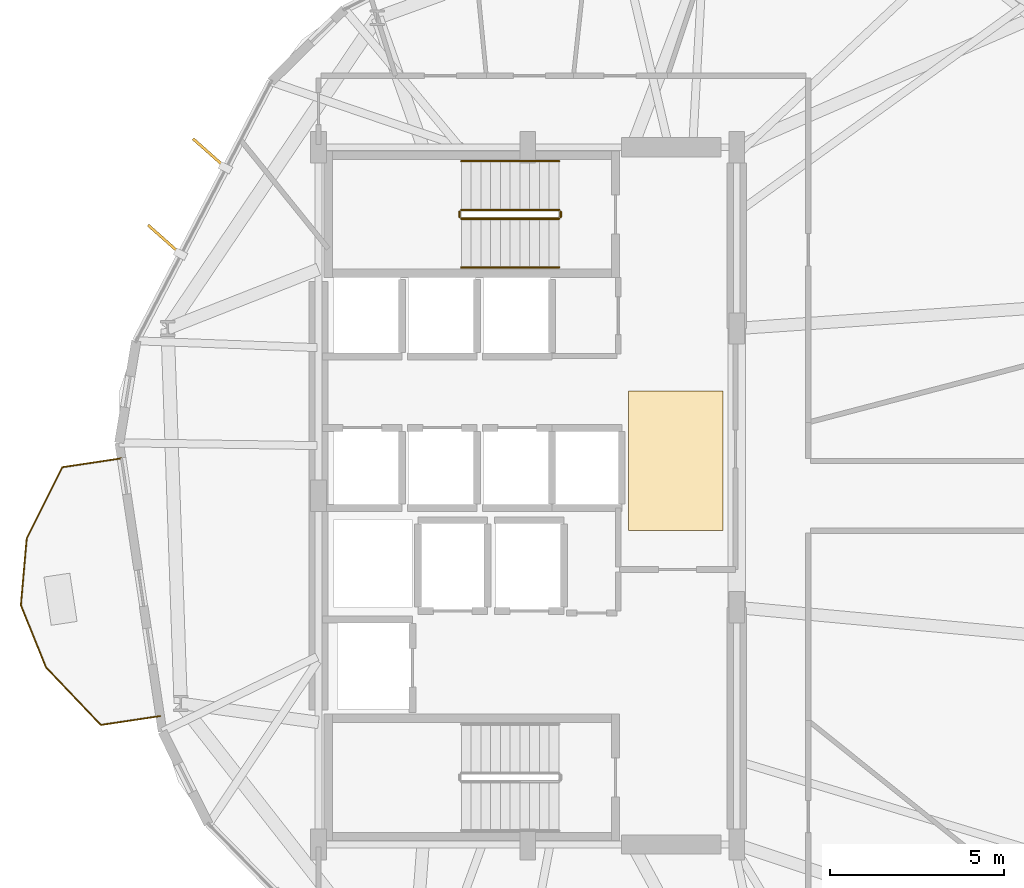
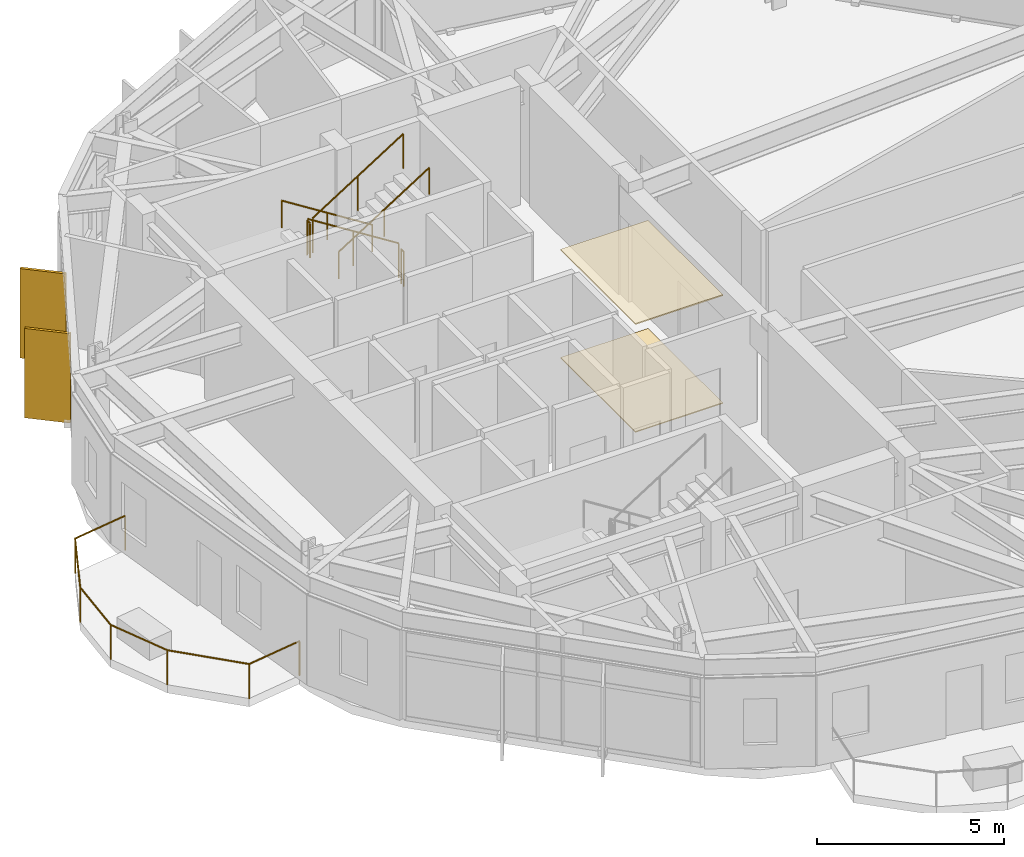
# One storey, part 21 of 22: 7 railings, 2 coverings, 2 shading devices.
"""IFC4 building model written with IfcOpenShell, lengths in metres."""

from ifc_helpers import new_model, si_unit, direction, frame, origin, origin_2d, place, context, subcontext, project, spatial, polyline, rectangle, circle, outline, extrude, material, layer, layer_set, type_object, element, save


model = new_model("IFC4")

# Units and contexts
model_context = context("Model", 3, precision=1e-05, world=origin(), true_north=direction((0.0, 1.0)))
body_context = subcontext(model_context, "Body", "Model", "MODEL_VIEW")
ifc_project = project(units=[si_unit("LENGTHUNIT", "METRE"), si_unit("AREAUNIT", "SQUARE_METRE"), si_unit("VOLUMEUNIT", "CUBIC_METRE"), si_unit("PLANEANGLEUNIT", "RADIAN"), si_unit("MASSUNIT", "GRAM", prefix="KILO")], contexts=[model_context])

# Site, building, storey
site_placement = place(None, origin())
site = spatial("IfcSite", under=ifc_project, at=site_placement, CompositionType="ELEMENT")
building_placement = place(site_placement, origin())
building = spatial("IfcBuilding", under=site, at=building_placement, Name="Soratama Intermodal Tower", CompositionType="ELEMENT")
storey_placement = place(building_placement, frame((0.0, 0.0, 130.300048828125)))
storey = spatial("IfcBuildingStorey", under=building, at=storey_placement, Name="L31", CompositionType="ELEMENT", Elevation=130.300048828125)

# Coverings
ifc_material_1 = material(Name="Perforated mineral acoustic ceiling", Category="concrete")
ifc_layer_1 = layer(ifc_material_1, 0.0400390625)
ifc_layer_set_1 = layer_set([ifc_layer_1], Name="Perforated mineral acoustic ceiling")
covering_type_1 = type_object("IfcCoveringType", Name="CV-CEIL-ACOUSTIC", PredefinedType="CEILING", material=ifc_layer_set_1)
covering_1_placement = place(storey_placement, frame((0.0, 0.0, 3.52001953125)))
element("IfcCovering", 1, at=covering_1_placement, inside=storey, type_object=covering_type_1, Name="L31 Acoustic Ceiling", PredefinedType="CEILING", context=body_context, shape_type="SweptSolid", body=[
    extrude(outline(polyline([(41.5, 24.0), (44.199951171875, 24.0), (44.199951171875, 28.0), (41.5, 28.0), (41.5, 24.0)])), origin(), (0.0, 0.0, 1.0), 0.0400390625),
])
ifc_material_2 = material(Name="Polished Andean stone terrazzo flooring", Category="masonry")
ifc_layer_2 = layer(ifc_material_2, 0.030029296875)
ifc_layer_set_2 = layer_set([ifc_layer_2], Name="Polished Andean stone terrazzo flooring")
covering_type_2 = type_object("IfcCoveringType", Name="CV-FLOR-TERRAZZO", PredefinedType="FLOORING", material=ifc_layer_set_2)
covering_2_placement = place(storey_placement, origin())
element("IfcCovering", 2, at=covering_2_placement, inside=storey, type_object=covering_type_2, Name="L31 Lobby Terrazzo Flooring", PredefinedType="FLOORING", context=body_context, shape_type="SweptSolid", body=[
    extrude(outline(polyline([(41.5, 24.0), (44.199951171875, 24.0), (44.199951171875, 28.0), (41.5, 28.0), (41.5, 24.0)])), origin(), (0.0, 0.0, 1.0), 0.030029296875),
])

# Railings
ifc_material_3 = material(Name="Laminated glass and stainless steel balustrade", Category="steel")
railing_type_1 = type_object("IfcRailingType", Name="RL-BAL-1150", PredefinedType="BALUSTRADE", material=ifc_material_3)
railing_1_placement = place(storey_placement, frame((28.059326171875, 18.682373046875, 0.0)))
element("IfcRailing", 3, at=railing_1_placement, inside=storey, type_object=railing_type_1, Name="L31 Balcony Balustrade 2", PredefinedType="BALUSTRADE", context=body_context, shape_type="SweptSolid", body=[
    extrude(circle(Radius=0.02392578125, at=origin_2d()), frame((0.0, 0.0, 1.1259765625), z_axis=(-0.98895820712, -0.14819468469, 0.0), x_axis=(0.14819468469, -0.98895820712, 0.0)), (0.0, 0.0, 1.0), 1.719970703125),
    extrude(circle(Radius=0.02392578125, at=origin_2d()), frame((-1.700927734375, -0.2548828125, 1.1259765625), z_axis=(-0.689187750138, 0.724582807593, 0.0), x_axis=(-0.724582807593, -0.689187750138, 0.0)), (0.0, 0.0, 1.0), 2.283203125),
    extrude(circle(Radius=0.02392578125, at=origin_2d()), frame((-3.2744140625, 1.3994140625, 1.1259765625), z_axis=(-0.375088813392, 0.92698887915, 0.0), x_axis=(-0.92698887915, -0.375088813392, 0.0)), (0.0, 0.0, 1.0), 1.922119140625),
    extrude(circle(Radius=0.02392578125, at=origin_2d()), frame((-3.995361328125, 3.18115234375, 1.1259765625), z_axis=(0.086996798183, 0.996208591162, 0.0), x_axis=(-0.996208591162, 0.086996798183, 0.0)), (0.0, 0.0, 1.0), 1.92236328125),
    extrude(circle(Radius=0.02392578125, at=origin_2d()), frame((-3.828125, 5.09619140625, 1.1259765625), z_axis=(0.446571854203, 0.894747773975, 0.0), x_axis=(-0.894747773975, 0.446571854203, 0.0)), (0.0, 0.0, 1.0), 2.282958984375),
    extrude(circle(Radius=0.02392578125, at=origin_2d()), frame((-2.80859375, 7.138916015625, 1.1259765625), z_axis=(0.988961323898, 0.148173883776, 0.0), x_axis=(-0.148173883776, 0.988961323898, 0.0)), (0.0, 0.0, 1.0), 1.72021484375),
    extrude(circle(Radius=0.02099609375, at=origin_2d()), origin(), (0.0, 0.0, 1.0), 1.101806640625),
    extrude(circle(Radius=0.02099609375, at=origin_2d()), frame((-1.700927734375, -0.2548828125, 0.0)), (0.0, 0.0, 1.0), 1.101806640625),
    extrude(circle(Radius=0.02099609375, at=origin_2d()), frame((-3.2744140625, 1.3994140625, 0.0)), (0.0, 0.0, 1.0), 1.101806640625),
    extrude(circle(Radius=0.02099609375, at=origin_2d()), frame((-3.995361328125, 3.18115234375, 0.0)), (0.0, 0.0, 1.0), 1.101806640625),
    extrude(circle(Radius=0.02099609375, at=origin_2d()), frame((-3.828125, 5.09619140625, 0.0)), (0.0, 0.0, 1.0), 1.101806640625),
    extrude(circle(Radius=0.02099609375, at=origin_2d()), frame((-2.80859375, 7.138916015625, 0.0)), (0.0, 0.0, 1.0), 1.101806640625),
    extrude(circle(Radius=0.02099609375, at=origin_2d()), frame((-1.107421875, 7.393798828125, 0.0)), (0.0, 0.0, 1.0), 1.101806640625),
])
ifc_material_4 = material(Name="Painted steel stair guardrail", Category="steel")
railing_type_2 = type_object("IfcRailingType", Name="RL-STAIR-GUARD", PredefinedType="GUARDRAIL", material=ifc_material_4)
railing_2_placement = place(storey_placement, frame((39.5, 33.199951171875, 0.17724609375)))
element("IfcRailing", 4, at=railing_2_placement, inside=storey, type_object=railing_type_2, Name="L31 ST-2 stair guard 1", PredefinedType="GUARDRAIL", context=body_context, shape_type="SweptSolid", body=[
    extrude(circle(Radius=0.02392578125, at=origin_2d()), frame((0.0, 0.0, 1.1259765625), z_axis=(-0.844908973607, 0.0, 0.534910110503), x_axis=(0.0, -1.0, 0.0)), (0.0, 0.0, 1.0), 3.31396484375),
    extrude(circle(Radius=0.02099609375, at=origin_2d()), origin(), (0.0, 0.0, 1.0), 1.101806640625),
    extrude(circle(Radius=0.02099609375, at=origin_2d()), frame((-1.39990234375, 0.0, 0.88623046875)), (0.0, 0.0, 1.0), 1.101806640625),
    extrude(circle(Radius=0.02099609375, at=origin_2d()), frame((-2.800048828125, 0.0, 1.772705078125)), (0.0, 0.0, 1.0), 1.101806640625),
])
railing_3_placement = place(storey_placement, frame((36.64990234375, 33.14990234375, 1.949951171875)))
element("IfcRailing", 5, at=railing_3_placement, inside=storey, type_object=railing_type_2, Name="L31 ST-2 stair guard 2", PredefinedType="GUARDRAIL", context=body_context, shape_type="SweptSolid", body=[
    extrude(circle(Radius=0.02392578125, at=origin_2d()), frame((0.0, 0.0, 1.1259765625), z_axis=(0.0, -1.0, 0.0), x_axis=(1.0, 0.0, 0.0)), (0.0, 0.0, 1.0), 0.14990234375),
    extrude(circle(Radius=0.02099609375, at=origin_2d()), origin(), (0.0, 0.0, 1.0), 1.101806640625),
    extrude(circle(Radius=0.02099609375, at=origin_2d()), frame((0.0, -0.14990234375, 0.0)), (0.0, 0.0, 1.0), 1.101806640625),
])
railing_4_placement = place(storey_placement, frame((36.699951171875, 32.949951171875, 2.127197265625)))
element("IfcRailing", 6, at=railing_4_placement, inside=storey, type_object=railing_type_2, Name="L31 ST-2 stair guard 3", PredefinedType="GUARDRAIL", context=body_context, shape_type="SweptSolid", body=[
    extrude(circle(Radius=0.02392578125, at=origin_2d()), frame((0.0, 0.0, 1.1259765625), z_axis=(0.844908973607, 0.0, 0.534910110503), x_axis=(0.0, 1.0, 0.0)), (0.0, 0.0, 1.0), 3.31396484375),
    extrude(circle(Radius=0.02099609375, at=origin_2d()), origin(), (0.0, 0.0, 1.0), 1.101806640625),
    extrude(circle(Radius=0.02099609375, at=origin_2d()), frame((1.39990234375, 0.0, 0.88623046875)), (0.0, 0.0, 1.0), 1.101806640625),
    extrude(circle(Radius=0.02099609375, at=origin_2d()), frame((2.800048828125, 0.0, 1.772705078125)), (0.0, 0.0, 1.0), 1.101806640625),
])
railing_5_placement = place(storey_placement, frame((39.550048828125, 33.14990234375, 0.0)))
element("IfcRailing", 7, at=railing_5_placement, inside=storey, type_object=railing_type_2, Name="L31 ST-2 stair guard 4", PredefinedType="GUARDRAIL", context=body_context, shape_type="SweptSolid", body=[
    extrude(circle(Radius=0.02392578125, at=origin_2d()), frame((0.0, 0.0, 1.1259765625), z_axis=(0.0, -1.0, 0.0), x_axis=(1.0, 0.0, 0.0)), (0.0, 0.0, 1.0), 0.14990234375),
    extrude(circle(Radius=0.02099609375, at=origin_2d()), origin(), (0.0, 0.0, 1.0), 1.101806640625),
    extrude(circle(Radius=0.02099609375, at=origin_2d()), frame((0.0, -0.14990234375, 0.0)), (0.0, 0.0, 1.0), 1.101806640625),
])
ifc_material_5 = material(Name="Brushed stainless steel handrail", Category="steel")
railing_type_3 = type_object("IfcRailingType", Name="RL-STAIR-HAND", PredefinedType="HANDRAIL", material=ifc_material_5)
railing_6_placement = place(storey_placement, frame((39.5, 34.60009765625, 0.17724609375)))
element("IfcRailing", 8, at=railing_6_placement, inside=storey, type_object=railing_type_3, Name="L31 ST-2 stair handrail 1", PredefinedType="HANDRAIL", context=body_context, shape_type="SweptSolid", body=[
    extrude(circle(Radius=0.02392578125, at=origin_2d()), frame((0.0, 0.0, 0.8759765625), z_axis=(-0.844908973607, 0.0, 0.534910110503), x_axis=(0.0, -1.0, 0.0)), (0.0, 0.0, 1.0), 3.31396484375),
    extrude(circle(Radius=0.02099609375, at=origin_2d()), origin(), (0.0, 0.0, 1.0), 0.851806640625),
    extrude(circle(Radius=0.02099609375, at=origin_2d()), frame((-1.39990234375, 0.0, 0.88623046875)), (0.0, 0.0, 1.0), 0.851806640625),
    extrude(circle(Radius=0.02099609375, at=origin_2d()), frame((-2.800048828125, 0.0, 1.772705078125)), (0.0, 0.0, 1.0), 0.851806640625),
])
railing_7_placement = place(storey_placement, frame((36.699951171875, 31.550048828125, 2.127197265625)))
element("IfcRailing", 9, at=railing_7_placement, inside=storey, type_object=railing_type_3, Name="L31 ST-2 stair handrail 2", PredefinedType="HANDRAIL", context=body_context, shape_type="SweptSolid", body=[
    extrude(circle(Radius=0.02392578125, at=origin_2d()), frame((0.0, 0.0, 0.8759765625), z_axis=(0.844908973607, 0.0, 0.534910110503), x_axis=(0.0, 1.0, 0.0)), (0.0, 0.0, 1.0), 3.31396484375),
    extrude(circle(Radius=0.02099609375, at=origin_2d()), origin(), (0.0, 0.0, 1.0), 0.851806640625),
    extrude(circle(Radius=0.02099609375, at=origin_2d()), frame((1.39990234375, 0.0, 0.88623046875)), (0.0, 0.0, 1.0), 0.851806640625),
    extrude(circle(Radius=0.02099609375, at=origin_2d()), frame((2.800048828125, 0.0, 1.772705078125)), (0.0, 0.0, 1.0), 0.851806640625),
])

# Shading devices
ifc_material_6 = material(Name="Champagne anodised aluminium solar fin", Category="aluminium")
ifc_layer_3 = layer(ifc_material_6, 0.080078125)
ifc_layer_set_3 = layer_set([ifc_layer_3], Name="Champagne anodised aluminium solar fin")
shading_device_type = type_object("IfcShadingDeviceType", Name="SH-FIN-1250", PredefinedType="USERDEFINED", material=ifc_layer_set_3)
for number, where, z_axis, x_axis, name in (
    (10, (29.468017578125, 34.829345703125, 0.02001953125), (0.0, 0.0, 1.0), (-0.747913956092, 0.663795687153, 0.0), "L31 Solar Fin F04-1"),
    (11, (28.1796875, 32.352294921875, 0.02001953125), (0.0, 0.0, 1.0), (-0.747913956092, 0.663795687153, 0.0), "L31 Solar Fin F04-2"),
):
    element("IfcShadingDevice", number, at=place(storey_placement, frame(where, z_axis=z_axis, x_axis=x_axis)), inside=storey, type_object=shading_device_type, Name=name, ObjectType="FIN", PredefinedType="USERDEFINED", context=body_context, shape_type="SweptSolid", body=[
        extrude(rectangle(XDim=1.25, YDim=0.080078125, at=origin_2d()), origin(), (0.0, 0.0, 1.0), 2.9189453125),
    ])

save(model, "model.ifc")
